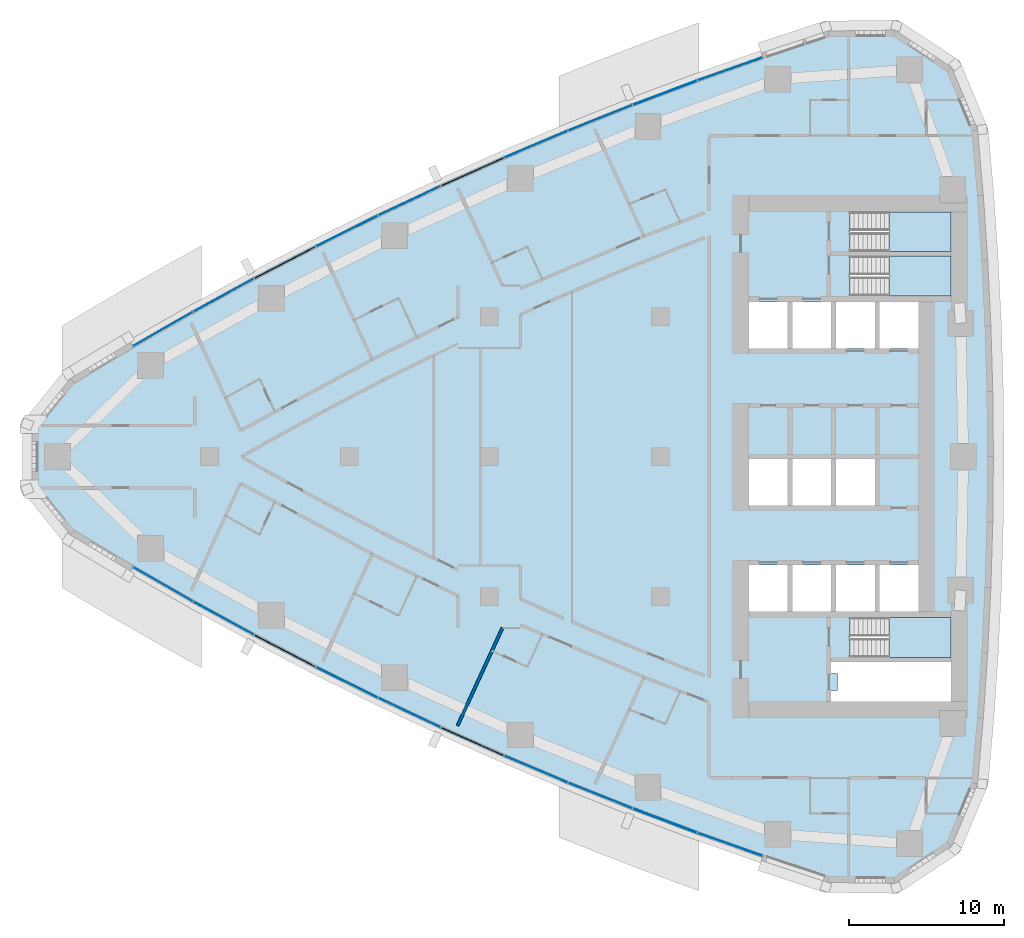
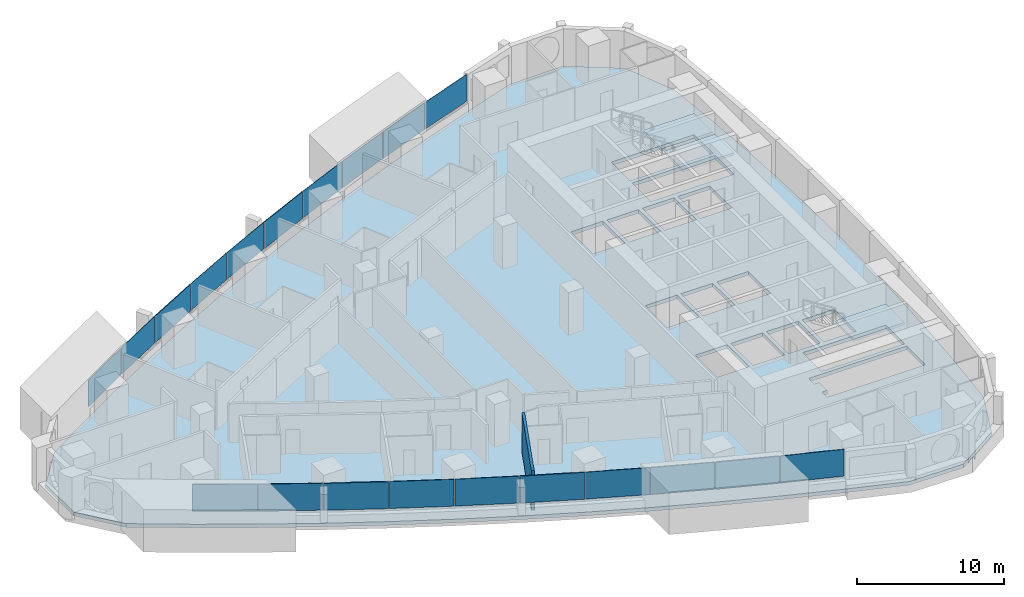
# One storey, part 7 of 17: 20 plates, 4 slabs, 1 wall, 1 opening, 13 elements without a shape of their own.
"""IFC4 building model written with IfcOpenShell, lengths in metres."""

from ifc_helpers import new_model, si_unit, direction, frame, frame_2d, origin, origin_2d, place, context, subcontext, project, spatial, polyline, rectangle, outline, extrude, material, layer, layer_set, type_object, element, aggregate, save


model = new_model("IFC4")

# Units and contexts
model_context = context("Model", 3, precision=1e-05, world=origin(), true_north=direction((0.0, 1.0)))
body_context = subcontext(model_context, "Body", "Model", "MODEL_VIEW")
ifc_project = project(units=[si_unit("LENGTHUNIT", "METRE"), si_unit("AREAUNIT", "SQUARE_METRE"), si_unit("VOLUMEUNIT", "CUBIC_METRE"), si_unit("PLANEANGLEUNIT", "RADIAN"), si_unit("MASSUNIT", "GRAM", prefix="KILO")], contexts=[model_context])

# Site, building, storey
site_placement = place(None, origin())
site = spatial("IfcSite", under=ifc_project, at=site_placement, CompositionType="ELEMENT")
building_placement = place(site_placement, origin())
building = spatial("IfcBuilding", under=site, at=building_placement, Name="Ostrand Prow Hotel Tower", CompositionType="ELEMENT")
storey_placement = place(building_placement, frame((0.0, 0.0, 92.0)))
storey = spatial("IfcBuildingStorey", under=building, at=storey_placement, Name="L21", CompositionType="ELEMENT", Elevation=92.0)

# Curtain wall, plates
ifc_material_1 = material(Name="Insulated glass in bronze anodised frame", Category="glass")
ifc_layer_1 = layer(ifc_material_1, 0.199951171875)
ifc_layer_set_1 = layer_set([ifc_layer_1], Name="Insulated glass in bronze anodised frame")
curtain_wall_type = type_object("IfcCurtainWallType", Name="Strip curtain wall, fritted glass over bronze spandrel", PredefinedType="NOTDEFINED", material=ifc_layer_set_1)
curtain_wall_1_placement = place(storey_placement, origin())
curtain_wall_1 = element("IfcCurtainWall", 1, at=curtain_wall_1_placement, inside=storey, type_object=curtain_wall_type, Name="CW1 run CWS1", PredefinedType="NOTDEFINED")
ifc_material_2 = material(Name="Ceramic-fritted glass", Category="glass")
ifc_layer_2 = layer(ifc_material_2, 0.031982421875)
ifc_layer_set_2 = layer_set([ifc_layer_2], Name="Ceramic-fritted glass")
plate_type_1 = type_object("IfcPlateType", Name="Dot-fritted ceramic glass unit 32 mm", PredefinedType="CURTAIN_PANEL", material=ifc_layer_set_2)
plate_1_placement = place(storey_placement, frame((13.013916015625, -8.2099609375, 1.02001953125), z_axis=(0.0, 0.0, 1.0), x_axis=(0.867684775301, -0.497114806368, 0.0)))
plate_1 = element("IfcPlate", 2, at=plate_1_placement, type_object=plate_type_1, Name="CW1 PN-D panel 1.2", PredefinedType="CURTAIN_PANEL", context=body_context, shape_type="SweptSolid", body=[
    extrude(rectangle(XDim=4.406005859375, YDim=0.031982421875, at=origin_2d()), origin(), (0.0, 0.0, 1.0), 2.22998046875),
])
plate_2_placement = place(storey_placement, frame((16.910888671875, -10.39111328125, 1.02001953125), z_axis=(0.0, 0.0, 1.0), x_axis=(0.877466978439, -0.479637052103, 0.0)))
plate_2 = element("IfcPlate", 3, at=plate_2_placement, type_object=plate_type_1, Name="CW1 PN-D panel 2.2", PredefinedType="CURTAIN_PANEL", context=body_context, shape_type="SweptSolid", body=[
    extrude(rectangle(XDim=4.406005859375, YDim=0.031982421875, at=origin_2d()), origin(), (0.0, 0.0, 1.0), 2.22998046875),
])
aggregate(curtain_wall_1, [plate_1, plate_2])

# Curtain wall, plate
curtain_wall_2_placement = place(storey_placement, origin())
curtain_wall_2 = element("IfcCurtainWall", 4, at=curtain_wall_2_placement, inside=storey, type_object=curtain_wall_type, Name="CW1 run CWS2", PredefinedType="NOTDEFINED")
plate_3_placement = place(storey_placement, frame((24.831787109375, -14.516845703125, 1.02001953125), z_axis=(0.0, 0.0, 1.0), x_axis=(0.895970803653, -0.44411295748, 0.0)))
plate_3 = element("IfcPlate", 5, at=plate_3_placement, type_object=plate_type_1, Name="CW1 PN-D panel 2.2", PredefinedType="CURTAIN_PANEL", context=body_context, shape_type="SweptSolid", body=[
    extrude(rectangle(XDim=4.406005859375, YDim=0.031982421875, at=origin_2d()), origin(), (0.0, 0.0, 1.0), 2.22998046875),
])

curtain_wall_3_placement = place(storey_placement, origin())
curtain_wall_3 = element("IfcCurtainWall", 6, at=curtain_wall_3_placement, inside=storey, type_object=curtain_wall_type, Name="CW1 run CWS3", PredefinedType="NOTDEFINED")
plate_4_placement = place(storey_placement, frame((28.852783203125, -16.4599609375, 1.02001953125), z_axis=(0.0, 0.0, 1.0), x_axis=(0.904685808958, -0.426079320162, 0.0)))
plate_4 = element("IfcPlate", 7, at=plate_4_placement, type_object=plate_type_1, Name="CW1 PN-D panel 1.2", PredefinedType="CURTAIN_PANEL", context=body_context, shape_type="SweptSolid", body=[
    extrude(rectangle(XDim=4.406005859375, YDim=0.031982421875, at=origin_2d()), origin(), (0.0, 0.0, 1.0), 2.22998046875),
])

# Curtain wall, plates
curtain_wall_4_placement = place(storey_placement, origin())
curtain_wall_4 = element("IfcCurtainWall", 8, at=curtain_wall_4_placement, inside=storey, type_object=curtain_wall_type, Name="CW1 run CWS4", PredefinedType="NOTDEFINED")
plate_5_placement = place(storey_placement, frame((37.007080078125, -20.102783203125, 1.02001953125), z_axis=(0.0, 0.0, 1.0), x_axis=(0.921023688536, -0.389506566255, 0.0)))
plate_5 = element("IfcPlate", 9, at=plate_5_placement, type_object=plate_type_1, Name="CW1 PN-D panel 1.2", PredefinedType="CURTAIN_PANEL", context=body_context, shape_type="SweptSolid", body=[
    extrude(rectangle(XDim=4.406005859375, YDim=0.031982421875, at=origin_2d()), origin(), (0.0, 0.0, 1.0), 2.22998046875),
])
plate_6_placement = place(storey_placement, frame((41.137451171875, -21.801025390625, 1.02001953125), z_axis=(0.0, 0.0, 1.0), x_axis=(0.928640008649, -0.370982121315, 0.0)))
plate_6 = element("IfcPlate", 10, at=plate_6_placement, type_object=plate_type_1, Name="CW1 PN-D panel 2.2", PredefinedType="CURTAIN_PANEL", context=body_context, shape_type="SweptSolid", body=[
    extrude(rectangle(XDim=4.406005859375, YDim=0.031982421875, at=origin_2d()), origin(), (0.0, 0.0, 1.0), 2.22998046875),
])
aggregate(curtain_wall_4, [plate_5, plate_6])

# Curtain wall, plate
curtain_wall_5_placement = place(storey_placement, origin())
curtain_wall_5 = element("IfcCurtainWall", 11, at=curtain_wall_5_placement, inside=storey, type_object=curtain_wall_type, Name="CW1 run CWS5", PredefinedType="NOTDEFINED")
plate_7_placement = place(storey_placement, frame((49.49609375, -24.947509765625, 1.02001953125), z_axis=(0.0, 0.0, 1.0), x_axis=(0.942751551748, -0.333495894542, 0.0)))
plate_7 = element("IfcPlate", 12, at=plate_7_placement, type_object=plate_type_1, Name="CW1 PN-D panel 2.2", PredefinedType="CURTAIN_PANEL", context=body_context, shape_type="SweptSolid", body=[
    extrude(rectangle(XDim=4.406005859375, YDim=0.031982421875, at=origin_2d()), origin(), (0.0, 0.0, 1.0), 2.22998046875),
])

curtain_wall_6_placement = place(storey_placement, origin())
curtain_wall_6 = element("IfcCurtainWall", 13, at=curtain_wall_6_placement, inside=storey, type_object=curtain_wall_type, Name="CW1 run CWN1", PredefinedType="NOTDEFINED")
plate_8_placement = place(storey_placement, frame((49.49609375, 24.947509765625, 1.02001953125), z_axis=(0.0, 0.0, 1.0), x_axis=(-0.942751551748, -0.333495894542, 0.0)))
plate_8 = element("IfcPlate", 14, at=plate_8_placement, type_object=plate_type_1, Name="CW1 PN-D panel 1.2", PredefinedType="CURTAIN_PANEL", context=body_context, shape_type="SweptSolid", body=[
    extrude(rectangle(XDim=4.406005859375, YDim=0.031982421875, at=origin_2d()), origin(), (0.0, 0.0, 1.0), 2.22998046875),
])

# Curtain wall, plates
curtain_wall_7_placement = place(storey_placement, origin())
curtain_wall_7 = element("IfcCurtainWall", 15, at=curtain_wall_7_placement, inside=storey, type_object=curtain_wall_type, Name="CW1 run CWN2", PredefinedType="NOTDEFINED")
plate_9_placement = place(storey_placement, frame((41.137451171875, 21.801025390625, 1.02001953125), z_axis=(0.0, 0.0, 1.0), x_axis=(-0.928640008649, -0.370982121315, 0.0)))
plate_9 = element("IfcPlate", 16, at=plate_9_placement, type_object=plate_type_1, Name="CW1 PN-D panel 1.2", PredefinedType="CURTAIN_PANEL", context=body_context, shape_type="SweptSolid", body=[
    extrude(rectangle(XDim=4.406005859375, YDim=0.031982421875, at=origin_2d()), origin(), (0.0, 0.0, 1.0), 2.22998046875),
])
plate_10_placement = place(storey_placement, frame((37.007080078125, 20.102783203125, 1.02001953125), z_axis=(0.0, 0.0, 1.0), x_axis=(-0.921023688536, -0.389506566255, 0.0)))
plate_10 = element("IfcPlate", 17, at=plate_10_placement, type_object=plate_type_1, Name="CW1 PN-D panel 2.2", PredefinedType="CURTAIN_PANEL", context=body_context, shape_type="SweptSolid", body=[
    extrude(rectangle(XDim=4.406005859375, YDim=0.031982421875, at=origin_2d()), origin(), (0.0, 0.0, 1.0), 2.22998046875),
])
aggregate(curtain_wall_7, [plate_9, plate_10])

# Curtain wall, plate
curtain_wall_8_placement = place(storey_placement, origin())
curtain_wall_8 = element("IfcCurtainWall", 18, at=curtain_wall_8_placement, inside=storey, type_object=curtain_wall_type, Name="CW1 run CWN3", PredefinedType="NOTDEFINED")
plate_11_placement = place(storey_placement, frame((28.852783203125, 16.4599609375, 1.02001953125), z_axis=(0.0, 0.0, 1.0), x_axis=(-0.904685808958, -0.426079320162, 0.0)))
plate_11 = element("IfcPlate", 19, at=plate_11_placement, type_object=plate_type_1, Name="CW1 PN-D panel 2.2", PredefinedType="CURTAIN_PANEL", context=body_context, shape_type="SweptSolid", body=[
    extrude(rectangle(XDim=4.406005859375, YDim=0.031982421875, at=origin_2d()), origin(), (0.0, 0.0, 1.0), 2.22998046875),
])

curtain_wall_9_placement = place(storey_placement, origin())
curtain_wall_9 = element("IfcCurtainWall", 20, at=curtain_wall_9_placement, inside=storey, type_object=curtain_wall_type, Name="CW1 run CWN4", PredefinedType="NOTDEFINED")
plate_12_placement = place(storey_placement, frame((24.831787109375, 14.516845703125, 1.02001953125), z_axis=(0.0, 0.0, 1.0), x_axis=(-0.895970803653, -0.44411295748, 0.0)))
plate_12 = element("IfcPlate", 21, at=plate_12_placement, type_object=plate_type_1, Name="CW1 PN-D panel 1.2", PredefinedType="CURTAIN_PANEL", context=body_context, shape_type="SweptSolid", body=[
    extrude(rectangle(XDim=4.406005859375, YDim=0.031982421875, at=origin_2d()), origin(), (0.0, 0.0, 1.0), 2.22998046875),
])

# Curtain wall, plates
curtain_wall_10_placement = place(storey_placement, origin())
curtain_wall_10 = element("IfcCurtainWall", 22, at=curtain_wall_10_placement, inside=storey, type_object=curtain_wall_type, Name="CW1 run CWN5", PredefinedType="NOTDEFINED")
plate_13_placement = place(storey_placement, frame((16.910888671875, 10.39111328125, 1.02001953125), z_axis=(0.0, 0.0, 1.0), x_axis=(-0.877466978439, -0.479637052103, 0.0)))
plate_13 = element("IfcPlate", 23, at=plate_13_placement, type_object=plate_type_1, Name="CW1 PN-D panel 1.2", PredefinedType="CURTAIN_PANEL", context=body_context, shape_type="SweptSolid", body=[
    extrude(rectangle(XDim=4.406005859375, YDim=0.031982421875, at=origin_2d()), origin(), (0.0, 0.0, 1.0), 2.22998046875),
])
plate_14_placement = place(storey_placement, frame((13.013916015625, 8.2099609375, 1.02001953125), z_axis=(0.0, 0.0, 1.0), x_axis=(-0.867684775301, -0.497114806368, 0.0)))
plate_14 = element("IfcPlate", 24, at=plate_14_placement, type_object=plate_type_1, Name="CW1 PN-D panel 2.2", PredefinedType="CURTAIN_PANEL", context=body_context, shape_type="SweptSolid", body=[
    extrude(rectangle(XDim=4.406005859375, YDim=0.031982421875, at=origin_2d()), origin(), (0.0, 0.0, 1.0), 2.22998046875),
])
aggregate(curtain_wall_10, [plate_13, plate_14])

# Plate
ifc_material_3 = material(Name="Fritted glass in bronze vent frame", Category="glass")
ifc_layer_3 = layer(ifc_material_3, 0.06005859375)
ifc_layer_set_3 = layer_set([ifc_layer_3], Name="Fritted glass in bronze vent frame")
plate_type_2 = type_object("IfcPlateType", Name="Operable vent panel 60 mm", PredefinedType="CURTAIN_PANEL", material=ifc_layer_set_3)
plate_15_placement = place(storey_placement, frame((20.8505859375, -12.49365234375, 1.02001953125), z_axis=(0.0, 0.0, 1.0), x_axis=(0.886896367661, -0.461968432937, 0.0)))
plate_15 = element("IfcPlate", 25, at=plate_15_placement, type_object=plate_type_2, Name="CW1 PN-O panel 1.2", PredefinedType="CURTAIN_PANEL", context=body_context, shape_type="SweptSolid", body=[
    extrude(rectangle(XDim=4.406005859375, YDim=0.06005859375, at=origin_2d()), origin(), (0.0, 0.0, 1.0), 2.22998046875),
])

aggregate(curtain_wall_2, [plate_15, plate_3])

plate_16_placement = place(storey_placement, frame((32.911865234375, -18.322265625, 1.02001953125), z_axis=(0.0, 0.0, 1.0), x_axis=(0.913037887435, -0.407874755419, 0.0)))
plate_16 = element("IfcPlate", 26, at=plate_16_placement, type_object=plate_type_2, Name="CW1 PN-O panel 2.2", PredefinedType="CURTAIN_PANEL", context=body_context, shape_type="SweptSolid", body=[
    extrude(rectangle(XDim=4.406005859375, YDim=0.06005859375, at=origin_2d()), origin(), (0.0, 0.0, 1.0), 2.22998046875),
])

aggregate(curtain_wall_3, [plate_4, plate_16])

plate_17_placement = place(storey_placement, frame((45.301025390625, -23.416015625, 1.02001953125), z_axis=(0.0, 0.0, 1.0), x_axis=(0.935883792387, -0.35230885193, 0.0)))
plate_17 = element("IfcPlate", 27, at=plate_17_placement, type_object=plate_type_2, Name="CW1 PN-O panel 1.2", PredefinedType="CURTAIN_PANEL", context=body_context, shape_type="SweptSolid", body=[
    extrude(rectangle(XDim=4.406005859375, YDim=0.06005859375, at=origin_2d()), origin(), (0.0, 0.0, 1.0), 2.22998046875),
])

aggregate(curtain_wall_5, [plate_17, plate_7])

plate_18_placement = place(storey_placement, frame((45.301025390625, 23.416015625, 1.02001953125), z_axis=(0.0, 0.0, 1.0), x_axis=(-0.935883792387, -0.35230885193, 0.0)))
plate_18 = element("IfcPlate", 28, at=plate_18_placement, type_object=plate_type_2, Name="CW1 PN-O panel 2.2", PredefinedType="CURTAIN_PANEL", context=body_context, shape_type="SweptSolid", body=[
    extrude(rectangle(XDim=4.406005859375, YDim=0.06005859375, at=origin_2d()), origin(), (0.0, 0.0, 1.0), 2.22998046875),
])

aggregate(curtain_wall_6, [plate_8, plate_18])

plate_19_placement = place(storey_placement, frame((32.911865234375, 18.322265625, 1.02001953125), z_axis=(0.0, 0.0, 1.0), x_axis=(-0.913037887435, -0.407874755419, 0.0)))
plate_19 = element("IfcPlate", 29, at=plate_19_placement, type_object=plate_type_2, Name="CW1 PN-O panel 1.2", PredefinedType="CURTAIN_PANEL", context=body_context, shape_type="SweptSolid", body=[
    extrude(rectangle(XDim=4.406005859375, YDim=0.06005859375, at=origin_2d()), origin(), (0.0, 0.0, 1.0), 2.22998046875),
])

aggregate(curtain_wall_8, [plate_19, plate_11])

plate_20_placement = place(storey_placement, frame((20.8505859375, 12.49365234375, 1.02001953125), z_axis=(0.0, 0.0, 1.0), x_axis=(-0.886896367661, -0.461968432937, 0.0)))
plate_20 = element("IfcPlate", 30, at=plate_20_placement, type_object=plate_type_2, Name="CW1 PN-O panel 2.2", PredefinedType="CURTAIN_PANEL", context=body_context, shape_type="SweptSolid", body=[
    extrude(rectangle(XDim=4.406005859375, YDim=0.06005859375, at=origin_2d()), origin(), (0.0, 0.0, 1.0), 2.22998046875),
])

aggregate(curtain_wall_9, [plate_12, plate_20])

# Slab, opening
ifc_material_4 = material(Name="Concrete C40/50", Category="concrete")
ifc_layer_4 = layer(ifc_material_4, 0.300048828125)
ifc_layer_set_4 = layer_set([ifc_layer_4], Name="Concrete C40/50")
slab_type_1 = type_object("IfcSlabType", Name="PT flat plate 300 C40/50", PredefinedType="FLOOR", material=ifc_layer_set_4)
slab_1_placement = place(storey_placement, frame((0.0, 0.0, -0.300048828125)))
slab_1 = element("IfcSlab", 31, at=slab_1_placement, inside=storey, type_object=slab_type_1, Name="Floor slab L21-1", PredefinedType="FLOOR", context=body_context, shape_type="SweptSolid", body=[
    extrude(outline(polyline([(7.150390625, 4.879638671875), (11.01806640625, 7.19970703125), (14.89501953125, 9.4208984375), (18.81591796875, 11.56396484375), (22.77880859375, 13.628173828125), (26.7822265625, 15.61279296875), (30.82470703125, 17.5166015625), (34.904541015625, 19.339111328125), (39.02001953125, 21.07958984375), (43.16943359375, 22.7373046875), (47.351318359375, 24.311279296875), (51.563720703125, 25.801513671875), (55.839599609375, 27.218505859375), (60.05615234375, 27.271728515625), (63.6103515625, 24.932861328125), (65.2294921875, 21.039306640625), (65.598876953125, 16.81201171875), (65.883544921875, 12.614501953125), (66.087158203125, 8.412353515625), (66.209228515625, 4.206787109375), (66.25, 0.0), (66.209228515625, -4.206787109375), (66.087158203125, -8.412353515625), (65.883544921875, -12.614501953125), (65.598876953125, -16.81201171875), (65.2294921875, -21.039306640625), (63.6103515625, -24.932861328125), (60.05615234375, -27.271728515625), (55.839599609375, -27.218505859375), (51.563720703125, -25.801513671875), (47.351318359375, -24.311279296875), (43.16943359375, -22.7373046875), (39.02001953125, -21.07958984375), (34.904541015625, -19.339111328125), (30.82470703125, -17.5166015625), (26.7822265625, -15.61279296875), (22.77880859375, -13.628173828125), (18.81591796875, -11.56396484375), (14.89501953125, -9.4208984375), (11.01806640625, -7.19970703125), (7.150390625, -4.879638671875), (4.75830078125, -1.923583984375), (4.75830078125, 1.923583984375), (7.150390625, 4.879638671875)]), holes=[polyline([(50.699951171875, 6.949951171875), (53.199951171875, 6.949951171875), (53.199951171875, 9.949951171875), (50.699951171875, 9.949951171875), (50.699951171875, 6.949951171875)]), polyline([(53.5, 6.949951171875), (56.0, 6.949951171875), (56.0, 9.949951171875), (53.5, 9.949951171875), (53.5, 6.949951171875)]), polyline([(56.300048828125, 6.949951171875), (58.800048828125, 6.949951171875), (58.800048828125, 9.949951171875), (56.300048828125, 9.949951171875), (56.300048828125, 6.949951171875)]), polyline([(59.10009765625, 6.949951171875), (61.60009765625, 6.949951171875), (61.60009765625, 9.949951171875), (59.10009765625, 9.949951171875), (59.10009765625, 6.949951171875)]), polyline([(50.699951171875, -3.14990234375), (53.199951171875, -3.14990234375), (53.199951171875, -0.14990234375), (50.699951171875, -0.14990234375), (50.699951171875, -3.14990234375)]), polyline([(53.5, -3.14990234375), (56.0, -3.14990234375), (56.0, -0.14990234375), (53.5, -0.14990234375), (53.5, -3.14990234375)]), polyline([(56.300048828125, -3.14990234375), (58.800048828125, -3.14990234375), (58.800048828125, -0.14990234375), (56.300048828125, -0.14990234375), (56.300048828125, -3.14990234375)]), polyline([(50.699951171875, -9.949951171875), (53.199951171875, -9.949951171875), (53.199951171875, -6.949951171875), (50.699951171875, -6.949951171875), (50.699951171875, -9.949951171875)]), polyline([(53.5, -9.949951171875), (56.0, -9.949951171875), (56.0, -6.949951171875), (53.5, -6.949951171875), (53.5, -9.949951171875)]), polyline([(56.300048828125, -9.949951171875), (58.800048828125, -9.949951171875), (58.800048828125, -6.949951171875), (56.300048828125, -6.949951171875), (56.300048828125, -9.949951171875)]), polyline([(59.10009765625, -9.949951171875), (61.60009765625, -9.949951171875), (61.60009765625, -6.949951171875), (59.10009765625, -6.949951171875), (59.10009765625, -9.949951171875)]), polyline([(57.200927734375, 10.35107421875), (57.200927734375, 12.89892578125), (63.718994140625, 12.89892578125), (63.718994140625, 10.35107421875), (57.200927734375, 10.35107421875)]), polyline([(57.200927734375, 13.200927734375), (57.200927734375, 15.7490234375), (63.718994140625, 15.7490234375), (63.718994140625, 13.200927734375), (57.200927734375, 13.200927734375)]), polyline([(57.200927734375, -12.89892578125), (57.200927734375, -10.35107421875), (63.718994140625, -10.35107421875), (63.718994140625, -12.89892578125), (57.200927734375, -12.89892578125)]), polyline([(56.0, -13.199951171875), (63.719970703125, -13.199951171875), (63.719970703125, -15.75), (56.0, -15.75), (56.0, -15.050048828125), (56.39990234375, -15.050048828125), (56.39990234375, -13.949951171875), (56.0, -13.949951171875), (56.0, -13.199951171875)])]), origin(), (0.0, 0.0, 1.0), 0.300048828125),
])
opening_placement = place(slab_1_placement, origin())
element("IfcOpeningElement", 32, at=opening_placement, cuts=slab_1, Name="Shaft opening 1", PredefinedType="OPENING", context=body_context, shape_type="SweptSolid", body=[
    extrude(outline(polyline([(56.0, -13.199951171875), (63.719970703125, -13.199951171875), (63.719970703125, -15.75), (56.0, -15.75), (56.0, -15.050048828125), (56.39990234375, -15.050048828125), (56.39990234375, -13.949951171875), (56.0, -13.949951171875), (56.0, -13.199951171875)])), origin(), (0.0, 0.0, 1.0), 0.300048828125),
])

# Stair, slab
ifc_material_5 = material(Name="Concrete C40/50", Category="concrete")
stair_type = type_object("IfcStairType", Name="Exit stair 1200 upper zone", PredefinedType="HALF_TURN_STAIR", material=ifc_material_5)
stair_1_placement = place(storey_placement, origin())
stair_1 = element("IfcStair", 33, at=stair_1_placement, inside=storey, type_object=stair_type, Name="L21 ST1C", PredefinedType="HALF_TURN_STAIR")
ifc_material_6 = material(Name="Concrete C40/50", Category="concrete")
ifc_layer_5 = layer(ifc_material_6, 0.199951171875)
ifc_layer_set_5 = layer_set([ifc_layer_5], Name="Concrete C40/50")
slab_type_2 = type_object("IfcSlabType", Name="Stair landing 200 concrete", PredefinedType="LANDING", material=ifc_layer_set_5)
slab_2_placement = place(storey_placement, frame((0.0, 0.0, 1.574951171875)))
slab_2 = element("IfcSlab", 34, at=slab_2_placement, type_object=slab_type_2, Name="ST1C landing 1", PredefinedType="LANDING", context=body_context, shape_type="SweptSolid", body=[
    extrude(outline(polyline([(59.719970703125, 10.35009765625), (63.719970703125, 10.35009765625), (63.719970703125, 12.89990234375), (59.719970703125, 12.89990234375), (59.719970703125, 10.35009765625)])), origin(), (0.0, 0.0, 1.0), 0.199951171875),
])
aggregate(stair_1, [slab_2])

stair_2_placement = place(storey_placement, origin())
stair_2 = element("IfcStair", 35, at=stair_2_placement, inside=storey, type_object=stair_type, Name="L21 ST3C", PredefinedType="HALF_TURN_STAIR")
slab_3_placement = place(storey_placement, frame((0.0, 0.0, 1.574951171875)))
slab_3 = element("IfcSlab", 36, at=slab_3_placement, type_object=slab_type_2, Name="ST3C landing 1", PredefinedType="LANDING", context=body_context, shape_type="SweptSolid", body=[
    extrude(outline(polyline([(59.719970703125, 13.199951171875), (63.719970703125, 13.199951171875), (63.719970703125, 15.75), (59.719970703125, 15.75), (59.719970703125, 13.199951171875)])), origin(), (0.0, 0.0, 1.0), 0.199951171875),
])
aggregate(stair_2, [slab_3])

stair_3_placement = place(storey_placement, origin())
stair_3 = element("IfcStair", 37, at=stair_3_placement, inside=storey, type_object=stair_type, Name="L21 ST2C", PredefinedType="HALF_TURN_STAIR")
slab_4_placement = place(storey_placement, frame((0.0, 0.0, 1.574951171875)))
slab_4 = element("IfcSlab", 38, at=slab_4_placement, type_object=slab_type_2, Name="ST2C landing 1", PredefinedType="LANDING", context=body_context, shape_type="SweptSolid", body=[
    extrude(outline(polyline([(59.719970703125, -12.89990234375), (63.719970703125, -12.89990234375), (63.719970703125, -10.35009765625), (59.719970703125, -10.35009765625), (59.719970703125, -12.89990234375)])), origin(), (0.0, 0.0, 1.0), 0.199951171875),
])
aggregate(stair_3, [slab_4])

# Wall
ifc_material_7 = material(Name="Plasterboard partition")
ifc_layer_6 = layer(ifc_material_7, 0.199951171875)
ifc_layer_set_6 = layer_set([ifc_layer_6], Name="Plasterboard partition")
wall_type = type_object("IfcWallType", Name="Partition 200 key partition", PredefinedType="PARTITIONING", material=ifc_layer_set_6)
wall_placement = place(storey_placement, frame((31.95458984375, -17.309326171875, 0.0), z_axis=(0.0, 0.0, 1.0), x_axis=(0.417418561443, 0.908714336061, 0.0)))
element("IfcWall", 39, at=wall_placement, inside=storey, type_object=wall_type, Name="KEY PARTITION", PredefinedType="PARTITIONING", context=body_context, shape_type="SweptSolid", body=[
    extrude(rectangle(XDim=6.943115234375, YDim=0.199951171875, at=frame_2d((3.4716796875, 0.0))), origin(), (0.0, 0.0, 1.0), 3.25),
])

save(model, "model.ifc")
